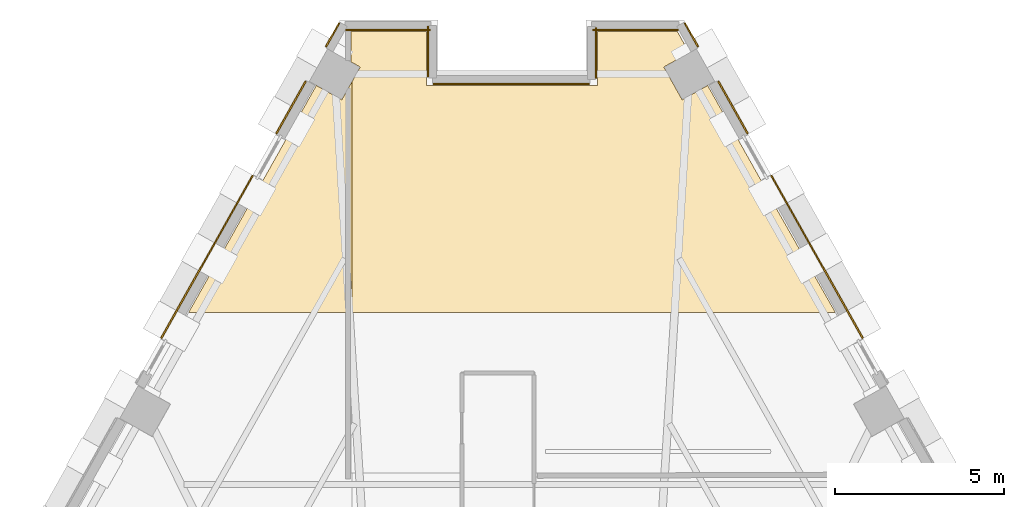
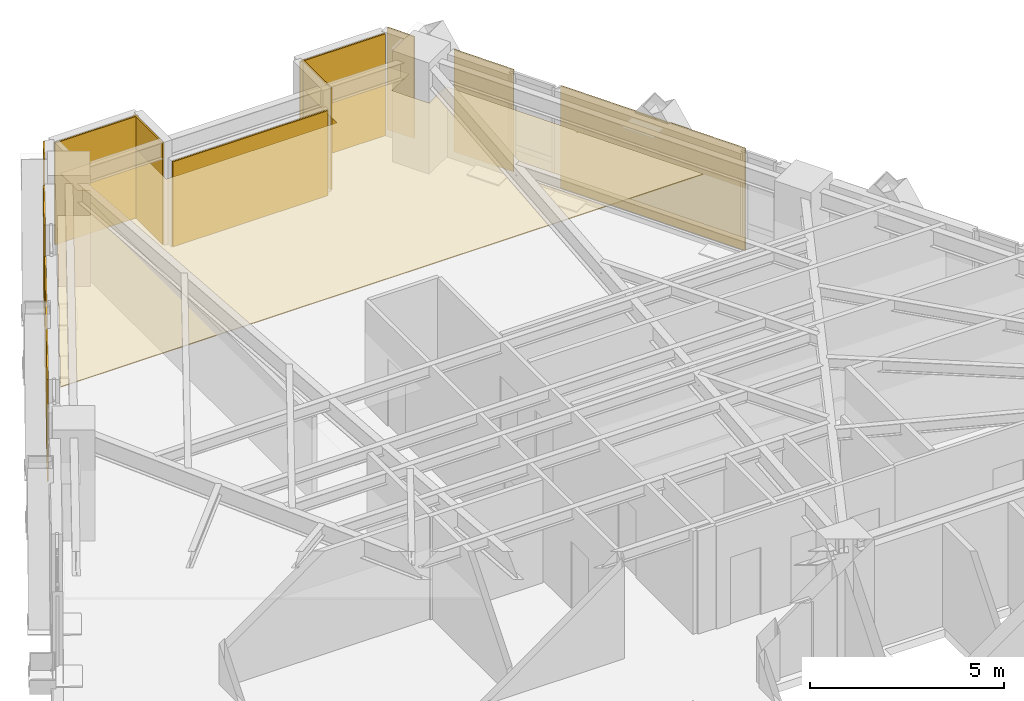
# One storey, part 13 of 13: 13 coverings.
"""IFC4 building model written with IfcOpenShell, lengths in metres."""

from ifc_helpers import new_model, si_unit, direction, frame, origin, place, context, subcontext, project, spatial, polyline, outline, extrude, material, layer, layer_set, type_object, element, save


model = new_model("IFC4")

# Units and contexts
model_context = context("Model", 3, precision=1e-05, world=origin(), true_north=direction((0.0, 1.0)))
body_context = subcontext(model_context, "Body", "Model", "MODEL_VIEW")
ifc_project = project(units=[si_unit("LENGTHUNIT", "METRE"), si_unit("AREAUNIT", "SQUARE_METRE"), si_unit("VOLUMEUNIT", "CUBIC_METRE"), si_unit("PLANEANGLEUNIT", "RADIAN"), si_unit("MASSUNIT", "GRAM", prefix="KILO")], contexts=[model_context])

# Site, building, storey
site_placement = place(None, origin())
site = spatial("IfcSite", under=ifc_project, at=site_placement, CompositionType="ELEMENT")
building_placement = place(site_placement, origin())
building = spatial("IfcBuilding", under=site, at=building_placement, Name="Quenlor Broadcast Tower", CompositionType="ELEMENT")
storey_placement = place(building_placement, frame((0.0, 0.0, 116.0)))
storey = spatial("IfcBuildingStorey", under=building, at=storey_placement, Name="L31", CompositionType="ELEMENT", Elevation=116.0)

# Coverings
ifc_material_1 = material(Name="Acoustic Mineral Fibre Board", Category="other")
ifc_layer_1 = layer(ifc_material_1, 0.02490234375)
ifc_layer_set_1 = layer_set([ifc_layer_1], Name="Acoustic Perforated Mineral Tile Ceiling 25")
covering_type_1 = type_object("IfcCoveringType", Name="Acoustic Perforated Mineral Tile Ceiling 25", PredefinedType="CEILING", material=ifc_layer_set_1)
covering_1_placement = place(storey_placement, frame((0.0, 0.0, 2.22509765625)))
element("IfcCovering", 1, at=covering_1_placement, inside=storey, type_object=covering_type_1, Name="L31 Acoustic Ceiling L31-28-2", PredefinedType="CEILING", context=body_context, shape_type="SweptSolid", body=[
    extrude(outline(polyline([(-4.50244140625, 19.931884765625), (-4.780029296875, 20.087890625), (-4.780029296875, 20.988037109375), (-2.5400390625, 20.988037109375), (-2.5400390625, 19.387939453125), (2.5400390625, 19.387939453125), (2.5400390625, 20.988037109375), (4.904296875, 20.988037109375), (5.2587890625, 20.357421875), (4.50244140625, 19.931884765625), (5.049560546875, 18.959228515625), (5.805908203125, 19.384765625), (7.699951171875, 16.017578125), (7.699951171875, 15.89404296875), (7.71337890625, 15.90966796875), (7.735595703125, 15.92822265625), (9.548583984375, 12.731201171875), (9.59423828125, 12.64990234375), (-4.780029296875, 12.64990234375), (-4.780029296875, 19.4384765625), (-4.50244140625, 19.931884765625)])), origin(), (0.0, 0.0, 1.0), 0.02490234375),
])
covering_2_placement = place(storey_placement, frame((0.0, 0.0, 2.22509765625)))
element("IfcCovering", 2, at=covering_2_placement, inside=storey, type_object=covering_type_1, Name="L31 Acoustic Ceiling L31-35-3", PredefinedType="CEILING", context=body_context, shape_type="SweptSolid", body=[
    extrude(outline(polyline([(-5.805908203125, 19.384765625), (-5.049560546875, 18.959228515625), (-4.75, 19.49169921875), (-4.75, 12.64990234375), (-9.59423828125, 12.64990234375), (-5.805908203125, 19.384765625)])), origin(), (0.0, 0.0, 1.0), 0.02490234375),
])
ifc_material_2 = material(Name="Architectural Terracotta Ceramic", Category="masonry")
ifc_layer_2 = layer(ifc_material_2, 0.044921875)
ifc_layer_set_2 = layer_set([ifc_layer_2], Name="Fluted Terracotta Rainscreen Cladding Panel")
covering_type_2 = type_object("IfcCoveringType", Name="Fluted Terracotta Rainscreen Cladding Panel", PredefinedType="CLADDING", material=ifc_layer_set_2)
covering_3_placement = place(storey_placement, frame((0.0, 0.0, 0.02001953125)))
element("IfcCovering", 3, at=covering_3_placement, inside=storey, type_object=covering_type_2, Name="L31 Terracotta Rainscreen Cladding L31-SHD-NES0", PredefinedType="CLADDING", context=body_context, shape_type="SweptSolid", body=[
    extrude(outline(polyline([(5.105224609375, 21.22607421875), (5.5, 20.524169921875), (5.539306640625, 20.546142578125), (5.144287109375, 21.248046875), (5.105224609375, 21.22607421875)])), origin(), (0.0, 0.0, 1.0), 3.2099609375),
])
covering_4_placement = place(storey_placement, frame((0.0, 0.0, 0.02001953125)))
element("IfcCovering", 4, at=covering_4_placement, inside=storey, type_object=covering_type_2, Name="L31 Terracotta Rainscreen Cladding L31-NEA-SP1", PredefinedType="CLADDING", context=body_context, shape_type="SweptSolid", body=[
    extrude(outline(polyline([(6.10107421875, 19.496826171875), (6.97509765625, 17.9423828125), (7.014404296875, 17.964599609375), (6.14013671875, 19.518798828125), (6.10107421875, 19.496826171875)])), origin(), (0.0, 0.0, 1.0), 3.2099609375),
])
covering_5_placement = place(storey_placement, frame((0.0, 0.0, 0.02001953125)))
element("IfcCovering", 5, at=covering_5_placement, inside=storey, type_object=covering_type_2, Name="L31 Terracotta Rainscreen Cladding L31-NEA-SP2", PredefinedType="CLADDING", context=body_context, shape_type="SweptSolid", body=[
    extrude(outline(polyline([(7.673583984375, 16.700927734375), (10.38818359375, 11.874755859375), (10.427490234375, 11.896728515625), (7.712890625, 16.722900390625), (7.673583984375, 16.700927734375)])), origin(), (0.0, 0.0, 1.0), 3.2099609375),
])
covering_6_placement = place(storey_placement, frame((0.0, 0.0, 0.02001953125)))
element("IfcCovering", 6, at=covering_6_placement, inside=storey, type_object=covering_type_2, Name="L31 Terracotta Rainscreen Cladding L31-SHD-NWS1", PredefinedType="CLADDING", context=body_context, shape_type="SweptSolid", body=[
    extrude(outline(polyline([(-5.5, 20.524169921875), (-5.105224609375, 21.22607421875), (-5.144287109375, 21.248046875), (-5.539306640625, 20.546142578125), (-5.5, 20.524169921875)])), origin(), (0.0, 0.0, 1.0), 3.2099609375),
])
covering_7_placement = place(storey_placement, frame((0.0, 0.0, 0.02001953125)))
element("IfcCovering", 7, at=covering_7_placement, inside=storey, type_object=covering_type_2, Name="L31 Terracotta Rainscreen Cladding L31-NWC-SP2", PredefinedType="CLADDING", context=body_context, shape_type="SweptSolid", body=[
    extrude(outline(polyline([(-10.38818359375, 11.874755859375), (-7.673583984375, 16.700927734375), (-7.712890625, 16.722900390625), (-10.427490234375, 11.896728515625), (-10.38818359375, 11.874755859375)])), origin(), (0.0, 0.0, 1.0), 3.2099609375),
])
covering_8_placement = place(storey_placement, frame((0.0, 0.0, 0.02001953125)))
element("IfcCovering", 8, at=covering_8_placement, inside=storey, type_object=covering_type_2, Name="L31 Terracotta Rainscreen Cladding L31-NWC-SP3", PredefinedType="CLADDING", context=body_context, shape_type="SweptSolid", body=[
    extrude(outline(polyline([(-6.97509765625, 17.9423828125), (-6.10107421875, 19.496826171875), (-6.14013671875, 19.518798828125), (-7.014404296875, 17.964599609375), (-6.97509765625, 17.9423828125)])), origin(), (0.0, 0.0, 1.0), 3.2099609375),
])
covering_9_placement = place(storey_placement, frame((0.0, 0.0, 0.02001953125)))
element("IfcCovering", 9, at=covering_9_placement, inside=storey, type_object=covering_type_2, Name="L31 Terracotta Rainscreen Cladding L31-CNR-06", PredefinedType="CLADDING", context=body_context, shape_type="SweptSolid", body=[
    extrude(outline(polyline([(4.929443359375, 21.055908203125), (2.389892578125, 21.055908203125), (2.389892578125, 21.010986328125), (4.929443359375, 21.010986328125), (4.929443359375, 21.055908203125)])), origin(), (0.0, 0.0, 1.0), 3.2099609375),
])
covering_10_placement = place(storey_placement, frame((0.0, 0.0, 0.02001953125)))
element("IfcCovering", 10, at=covering_10_placement, inside=storey, type_object=covering_type_2, Name="L31 Terracotta Rainscreen Cladding L31-CNR-07", PredefinedType="CLADDING", context=body_context, shape_type="SweptSolid", body=[
    extrude(outline(polyline([(2.471923828125, 21.097900390625), (2.471923828125, 19.597900390625), (2.51708984375, 19.597900390625), (2.51708984375, 21.097900390625), (2.471923828125, 21.097900390625)])), origin(), (0.0, 0.0, 1.0), 3.2099609375),
])
covering_11_placement = place(storey_placement, frame((0.0, 0.0, 0.02001953125)))
element("IfcCovering", 11, at=covering_11_placement, inside=storey, type_object=covering_type_2, Name="L31 Terracotta Rainscreen Cladding L31-CNR-08", PredefinedType="CLADDING", context=body_context, shape_type="SweptSolid", body=[
    extrude(outline(polyline([(2.2900390625, 19.4560546875), (-2.330078125, 19.4560546875), (-2.330078125, 19.410888671875), (2.2900390625, 19.410888671875), (2.2900390625, 19.4560546875)])), origin(), (0.0, 0.0, 1.0), 2.681884765625),
])
covering_12_placement = place(storey_placement, frame((0.0, 0.0, 0.02001953125)))
element("IfcCovering", 12, at=covering_12_placement, inside=storey, type_object=covering_type_2, Name="L31 Terracotta Rainscreen Cladding L31-CNR-09", PredefinedType="CLADDING", context=body_context, shape_type="SweptSolid", body=[
    extrude(outline(polyline([(-2.471923828125, 19.637939453125), (-2.471923828125, 21.137939453125), (-2.51708984375, 21.137939453125), (-2.51708984375, 19.637939453125), (-2.471923828125, 19.637939453125)])), origin(), (0.0, 0.0, 1.0), 3.2099609375),
])
covering_13_placement = place(storey_placement, frame((0.0, 0.0, 0.02001953125)))
element("IfcCovering", 13, at=covering_13_placement, inside=storey, type_object=covering_type_2, Name="L31 Terracotta Rainscreen Cladding L31-CNR-10", PredefinedType="CLADDING", context=body_context, shape_type="SweptSolid", body=[
    extrude(outline(polyline([(-2.429931640625, 21.055908203125), (-4.929443359375, 21.055908203125), (-4.929443359375, 21.010986328125), (-2.429931640625, 21.010986328125), (-2.429931640625, 21.055908203125)])), origin(), (0.0, 0.0, 1.0), 3.2099609375),
])

save(model, "model.ifc")
